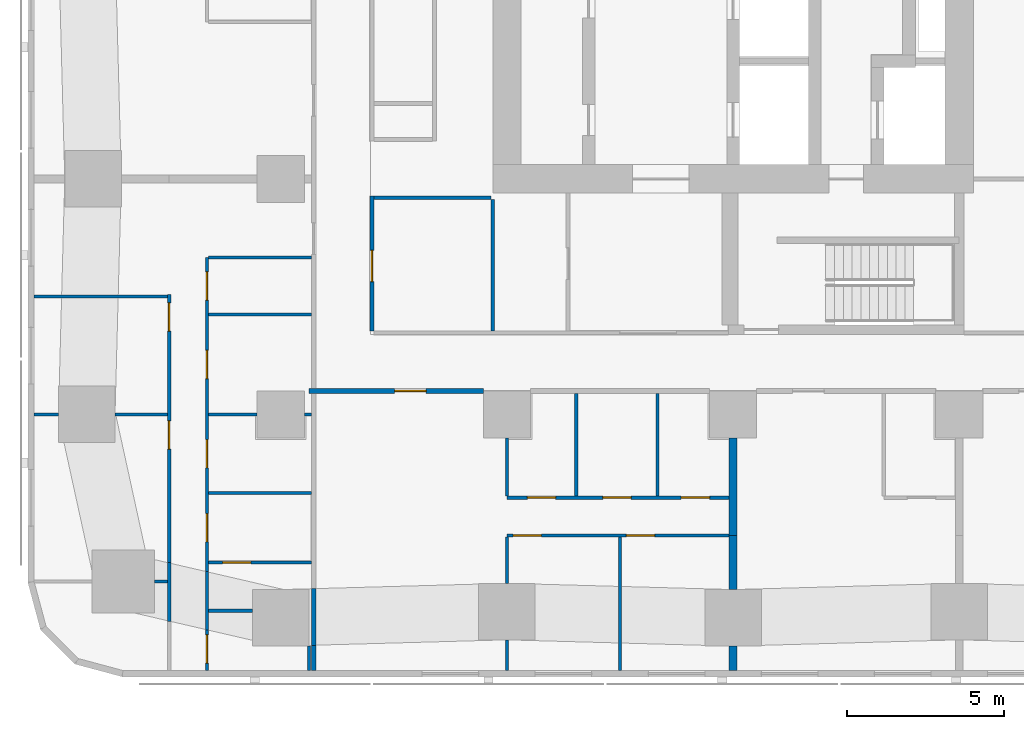
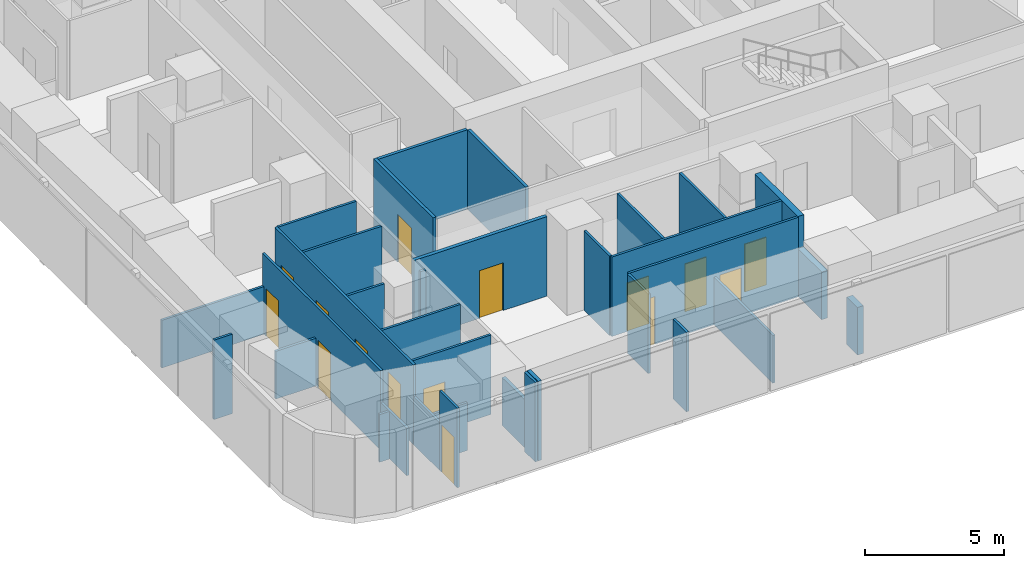
# One storey, part 2 of 15: 34 walls, 15 doors, 15 openings.
"""IFC4 building model written with IfcOpenShell, lengths in metres."""

from ifc_helpers import new_model, si_unit, direction, frame, frame_2d, origin, place, context, subcontext, project, spatial, rectangle, extrude, material, layer, layer_set, type_object, element, fill, save


model = new_model("IFC4")

# Units and contexts
model_context = context("Model", 3, precision=1e-05, world=origin(), true_north=direction((0.0, 1.0)))
body_context = subcontext(model_context, "Body", "Model", "MODEL_VIEW")
ifc_project = project(units=[si_unit("LENGTHUNIT", "METRE"), si_unit("AREAUNIT", "SQUARE_METRE"), si_unit("VOLUMEUNIT", "CUBIC_METRE"), si_unit("PLANEANGLEUNIT", "RADIAN"), si_unit("MASSUNIT", "GRAM", prefix="KILO")], contexts=[model_context])

# Site, building, storey
site_placement = place(None, origin())
site = spatial("IfcSite", under=ifc_project, at=site_placement, CompositionType="ELEMENT")
building_placement = place(site_placement, origin())
building = spatial("IfcBuilding", under=site, at=building_placement, Name="Sheger Commons Tower", CompositionType="ELEMENT")
storey_placement = place(building_placement, frame((0.0, 0.0, 173.300048828125)))
storey = spatial("IfcBuildingStorey", under=building, at=storey_placement, Name="L44", CompositionType="ELEMENT", Elevation=173.300048828125)

# Walls
ifc_material_1 = material(Name="Hollow concrete block masonry, skimmed both sides", Category="masonry")
ifc_layer_1 = layer(ifc_material_1, 0.14990234375)
ifc_layer_set_1 = layer_set([ifc_layer_1], Name="CORRIDOR WALL 150")
wall_type_1 = type_object("IfcWallType", Name="CORRIDOR WALL 150", PredefinedType="SOLIDWALL", material=ifc_layer_set_1)
wall_1_placement = place(storey_placement, frame((8.25, -0.64990234375, 0.0), z_axis=(0.0, 0.0, 1.0), x_axis=(0.0, 1.0, 0.0)))
element("IfcWall", 1, at=wall_1_placement, inside=storey, type_object=wall_type_1, Name="Corridor wall L44", PredefinedType="SOLIDWALL", context=body_context, shape_type="SweptSolid", body=[
    extrude(rectangle(XDim=0.802001953125, YDim=0.14990234375, at=frame_2d((0.40087890625, 0.0))), origin(), (0.0, 0.0, 1.0), 3.5),
])
wall_2_placement = place(storey_placement, frame((8.25, 0.152099609375, 0.0), z_axis=(0.0, 0.0, 1.0), x_axis=(0.0, 1.0, 0.0)))
element("IfcWall", 2, at=wall_2_placement, inside=storey, type_object=wall_type_1, Name="Corridor wall L44", PredefinedType="SOLIDWALL", context=body_context, shape_type="SweptSolid", body=[
    extrude(rectangle(XDim=1.804931640625, YDim=0.14990234375, at=frame_2d((0.90234375, 0.0))), origin(), (0.0, 0.0, 1.0), 2.099853515625),
])

# Wall, opening, door
wall_3_placement = place(storey_placement, frame((13.64892578125, 8.25, 0.0), z_axis=(0.0, 0.0, 1.0), x_axis=(-1.0, 0.0, 0.0)))
wall_3 = element("IfcWall", 3, at=wall_3_placement, inside=storey, type_object=wall_type_1, Name="Corridor wall L44", PredefinedType="SOLIDWALL", context=body_context, shape_type="SweptSolid", body=[
    extrude(rectangle(XDim=5.548828125, YDim=0.14990234375, at=frame_2d((2.7744140625, 0.0))), origin(), (0.0, 0.0, 1.0), 3.5),
])
opening_1_placement = place(wall_3_placement, frame((1.823974609375, 0.0, 0.0)))
opening_1 = element("IfcOpeningElement", 4, at=opening_1_placement, cuts=wall_3, Name="Opening D1", PredefinedType="OPENING", context=body_context, shape_type="SweptSolid", body=[
    extrude(rectangle(XDim=1.0, YDim=2.10009765625, at=frame_2d((0.5, 1.050048828125))), frame((0.0, 0.0849609375, 0.0), z_axis=(0.0, -1.0, 0.0), x_axis=(1.0, 0.0, 0.0)), (0.0, 0.0, 1.0), 0.169921875),
])
ifc_material_2 = material(Name="Steel door set, fire rated", Category="steel")
door_type_1 = type_object("IfcDoorType", Name="FLAT ENTRANCE DOOR 1000x2100", OperationType="NOTDEFINED", PredefinedType="DOOR", material=ifc_material_2)
door_1_placement = place(opening_1_placement, origin())
door_1 = element("IfcDoor", 5, at=door_1_placement, inside=storey, type_object=door_type_1, Name="Flat entrance door", OperationType="SINGLE_SWING_RIGHT", OverallHeight=2.10009765625, OverallWidth=1.0, PredefinedType="DOOR", context=body_context, shape_type="SweptSolid", body=[
    extrude(rectangle(XDim=1.0, YDim=2.10009765625, at=frame_2d((0.5, 1.050048828125))), frame((0.0, 0.02490234375, 0.0), z_axis=(0.0, -1.0, 0.0), x_axis=(1.0, 0.0, 0.0)), (0.0, 0.0, 1.0), 0.050048828125),
])
fill(opening_1, door_1)

# Walls
ifc_material_3 = material(Name="Dense concrete block masonry, plastered both sides (separating wall between flats)", Category="masonry")
ifc_layer_2 = layer(ifc_material_3, 0.25)
ifc_layer_set_2 = layer_set([ifc_layer_2], Name="DEMISING WALL 250")
wall_type_2 = type_object("IfcWallType", Name="DEMISING WALL 250", PredefinedType="SOLIDWALL", material=ifc_layer_set_2)
wall_4_placement = place(storey_placement, frame((21.60009765625, -0.64990234375, 0.0), z_axis=(0.0, 0.0, 1.0), x_axis=(0.0, 1.0, 0.0)))
element("IfcWall", 6, at=wall_4_placement, inside=storey, type_object=wall_type_2, Name="Demising wall L44", PredefinedType="SOLIDWALL", context=body_context, shape_type="SweptSolid", body=[
    extrude(rectangle(XDim=0.77392578125, YDim=0.25, at=frame_2d((0.386962890625, 0.0))), origin(), (0.0, 0.0, 1.0), 2.099853515625),
])
wall_5_placement = place(storey_placement, frame((21.60009765625, 1.926025390625, 0.0), z_axis=(0.0, 0.0, 1.0), x_axis=(0.0, 1.0, 0.0)))
element("IfcWall", 7, at=wall_5_placement, inside=storey, type_object=wall_type_2, Name="Demising wall L44", PredefinedType="SOLIDWALL", context=body_context, shape_type="SweptSolid", body=[
    extrude(rectangle(XDim=1.723876953125, YDim=0.25, at=frame_2d((0.86181640625, 0.0))), origin(), (0.0, 0.0, 1.0), 2.099853515625),
])
wall_6_placement = place(storey_placement, frame((21.60009765625, 3.64990234375, 0.0), z_axis=(0.0, 0.0, 1.0), x_axis=(0.0, 1.0, 0.0)))
element("IfcWall", 8, at=wall_6_placement, inside=storey, type_object=wall_type_2, Name="Demising wall L44", PredefinedType="SOLIDWALL", context=body_context, shape_type="SweptSolid", body=[
    extrude(rectangle(XDim=3.09912109375, YDim=0.25, at=frame_2d((1.549560546875, 0.0))), origin(), (0.0, 0.0, 1.0), 3.5),
])
ifc_material_4 = material(Name="Gypsum board on steel studs", Category="steel")
ifc_layer_3 = layer(ifc_material_4, 0.10009765625)
ifc_layer_set_3 = layer_set([ifc_layer_3], Name="PARTITION 100")
wall_type_3 = type_object("IfcWallType", Name="PARTITION 100", PredefinedType="PARTITIONING", material=ifc_layer_set_3)
wall_7_placement = place(storey_placement, frame((8.10009765625, 0.1240234375, 0.0), z_axis=(0.0, 0.0, 1.0), x_axis=(0.0, -1.0, 0.0)))
element("IfcWall", 9, at=wall_7_placement, inside=storey, type_object=wall_type_3, Name="Partition L44", PredefinedType="PARTITIONING", context=body_context, shape_type="SweptSolid", body=[
    extrude(rectangle(XDim=0.77392578125, YDim=0.10009765625, at=frame_2d((0.386962890625, 0.0))), origin(), (0.0, 0.0, 1.0), 3.5),
])
wall_8_placement = place(storey_placement, frame((3.64990234375, 0.912109375, 0.0), z_axis=(0.0, 0.0, 1.0), x_axis=(0.0, 1.0, 0.0)))
element("IfcWall", 10, at=wall_8_placement, inside=storey, type_object=wall_type_3, Name="Partition L44", PredefinedType="PARTITIONING", context=body_context, shape_type="SweptSolid", body=[
    extrude(rectangle(XDim=1.869873046875, YDim=0.10009765625, at=frame_2d((0.93505859375, 0.0))), origin(), (0.0, 0.0, 1.0), 2.099853515625),
])

# Wall, openings, doors
wall_9_placement = place(storey_placement, frame((3.64990234375, 2.781982421875, 0.0), z_axis=(0.0, 0.0, 1.0), x_axis=(0.0, 1.0, 0.0)))
wall_9 = element("IfcWall", 11, at=wall_9_placement, inside=storey, type_object=wall_type_3, Name="Partition L44", PredefinedType="PARTITIONING", context=body_context, shape_type="SweptSolid", body=[
    extrude(rectangle(XDim=8.541015625, YDim=0.10009765625, at=frame_2d((4.2705078125, 0.0))), origin(), (0.0, 0.0, 1.0), 3.5),
])
opening_2_placement = place(wall_9_placement, frame((7.367919921875, 0.0, 0.0)))
opening_2 = element("IfcOpeningElement", 12, at=opening_2_placement, cuts=wall_9, Name="Opening D2", PredefinedType="OPENING", context=body_context, shape_type="SweptSolid", body=[
    extrude(rectangle(XDim=0.89990234375, YDim=2.10009765625, at=frame_2d((0.449951171875, 1.050048828125))), frame((0.0, 0.06005859375, 0.0), z_axis=(0.0, -1.0, 0.0), x_axis=(1.0, 0.0, 0.0)), (0.0, 0.0, 1.0), 0.1201171875),
])
opening_3_placement = place(wall_9_placement, frame((3.617919921875, 0.0, 0.0)))
opening_3 = element("IfcOpeningElement", 13, at=opening_3_placement, cuts=wall_9, Name="Opening D2", PredefinedType="OPENING", context=body_context, shape_type="SweptSolid", body=[
    extrude(rectangle(XDim=0.89990234375, YDim=2.10009765625, at=frame_2d((0.449951171875, 1.050048828125))), frame((0.0, 0.06005859375, 0.0), z_axis=(0.0, -1.0, 0.0), x_axis=(1.0, 0.0, 0.0)), (0.0, 0.0, 1.0), 0.1201171875),
])
ifc_material_5 = material(Name="Timber door set", Category="wood")
door_type_2 = type_object("IfcDoorType", Name="INTERNAL DOOR 900x2100", OperationType="NOTDEFINED", PredefinedType="DOOR", material=ifc_material_5)
door_2_placement = place(opening_2_placement, origin())
door_2 = element("IfcDoor", 14, at=door_2_placement, inside=storey, type_object=door_type_2, Name="Main bedroom door", OperationType="SINGLE_SWING_RIGHT", OverallHeight=2.10009765625, OverallWidth=0.89990234375, PredefinedType="DOOR", context=body_context, shape_type="SweptSolid", body=[
    extrude(rectangle(XDim=0.89990234375, YDim=2.10009765625, at=frame_2d((0.449951171875, 1.050048828125))), frame((0.0, 0.02490234375, 0.0), z_axis=(0.0, -1.0, 0.0), x_axis=(1.0, 0.0, 0.0)), (0.0, 0.0, 1.0), 0.050048828125),
])
fill(opening_2, door_2)
door_3_placement = place(opening_3_placement, origin())
door_3 = element("IfcDoor", 15, at=door_3_placement, inside=storey, type_object=door_type_2, Name="Bedroom 2 door", OperationType="SINGLE_SWING_RIGHT", OverallHeight=2.10009765625, OverallWidth=0.89990234375, PredefinedType="DOOR", context=body_context, shape_type="SweptSolid", body=[
    extrude(rectangle(XDim=0.89990234375, YDim=2.10009765625, at=frame_2d((0.449951171875, 1.050048828125))), frame((0.0, 0.02490234375, 0.0), z_axis=(0.0, -1.0, 0.0), x_axis=(1.0, 0.0, 0.0)), (0.0, 0.0, 1.0), 0.050048828125),
])
fill(opening_3, door_3)

# Wall, opening, door
wall_10_placement = place(storey_placement, frame((4.85009765625, -0.64990234375, 0.0), z_axis=(0.0, 0.0, 1.0), x_axis=(0.0, 1.0, 0.0)))
wall_10 = element("IfcWall", 16, at=wall_10_placement, inside=storey, type_object=wall_type_3, Name="Partition L44", PredefinedType="PARTITIONING", context=body_context, shape_type="SweptSolid", body=[
    extrude(rectangle(XDim=1.283935546875, YDim=0.10009765625, at=frame_2d((0.64208984375, 0.0))), origin(), (0.0, 0.0, 1.0), 3.5),
])
opening_4_placement = place(wall_10_placement, frame((0.23388671875, 0.0, 0.0)))
opening_4 = element("IfcOpeningElement", 17, at=opening_4_placement, cuts=wall_10, Name="Opening D2", PredefinedType="OPENING", context=body_context, shape_type="SweptSolid", body=[
    extrude(rectangle(XDim=0.89990234375, YDim=2.10009765625, at=frame_2d((0.449951171875, 1.050048828125))), frame((0.0, 0.06005859375, 0.0), z_axis=(0.0, -1.0, 0.0), x_axis=(1.0, 0.0, 0.0)), (0.0, 0.0, 1.0), 0.1201171875),
])
door_4_placement = place(opening_4_placement, origin())
door_4 = element("IfcDoor", 18, at=door_4_placement, inside=storey, type_object=door_type_2, Name="Store and laundry door", OperationType="SINGLE_SWING_LEFT", OverallHeight=2.10009765625, OverallWidth=0.89990234375, PredefinedType="DOOR", context=body_context, shape_type="SweptSolid", body=[
    extrude(rectangle(XDim=0.89990234375, YDim=2.10009765625, at=frame_2d((0.449951171875, 1.050048828125))), frame((0.0, 0.02490234375, 0.0), z_axis=(0.0, -1.0, 0.0), x_axis=(1.0, 0.0, 0.0)), (0.0, 0.0, 1.0), 0.050048828125),
])
fill(opening_4, door_4)

# Wall
wall_11_placement = place(storey_placement, frame((4.85009765625, 0.634033203125, 0.0), z_axis=(0.0, 0.0, 1.0), x_axis=(0.0, 1.0, 0.0)))
element("IfcWall", 19, at=wall_11_placement, inside=storey, type_object=wall_type_3, Name="Partition L44", PredefinedType="PARTITIONING", context=body_context, shape_type="SweptSolid", body=[
    extrude(rectangle(XDim=1.870849609375, YDim=0.10009765625, at=frame_2d((0.935546875, 0.0))), origin(), (0.0, 0.0, 1.0), 2.099853515625),
])

# Wall, openings, doors
wall_12_placement = place(storey_placement, frame((4.85009765625, 2.5048828125, 0.0), z_axis=(0.0, 0.0, 1.0), x_axis=(0.0, 1.0, 0.0)))
wall_12 = element("IfcWall", 20, at=wall_12_placement, inside=storey, type_object=wall_type_3, Name="Partition L44", PredefinedType="PARTITIONING", context=body_context, shape_type="SweptSolid", body=[
    extrude(rectangle(XDim=9.994140625, YDim=0.10009765625, at=frame_2d((4.9970703125, 0.0))), origin(), (0.0, 0.0, 1.0), 3.5),
])
opening_5_placement = place(wall_12_placement, frame((8.634033203125, 0.0, 0.0)))
opening_5 = element("IfcOpeningElement", 21, at=opening_5_placement, cuts=wall_12, Name="Opening D2", PredefinedType="OPENING", context=body_context, shape_type="SweptSolid", body=[
    extrude(rectangle(XDim=0.89990234375, YDim=2.10009765625, at=frame_2d((0.449951171875, 1.050048828125))), frame((0.0, 0.06005859375, 0.0), z_axis=(0.0, -1.0, 0.0), x_axis=(1.0, 0.0, 0.0)), (0.0, 0.0, 1.0), 0.1201171875),
])
opening_6_placement = place(wall_12_placement, frame((3.2939453125, 0.0, 0.0)))
opening_6 = element("IfcOpeningElement", 22, at=opening_6_placement, cuts=wall_12, Name="Opening D2", PredefinedType="OPENING", context=body_context, shape_type="SweptSolid", body=[
    extrude(rectangle(XDim=0.89990234375, YDim=2.10009765625, at=frame_2d((0.449951171875, 1.050048828125))), frame((0.0, 0.06005859375, 0.0), z_axis=(0.0, -1.0, 0.0), x_axis=(1.0, 0.0, 0.0)), (0.0, 0.0, 1.0), 0.1201171875),
])
opening_7_placement = place(wall_12_placement, frame((0.93896484375, 0.0, 0.0)))
opening_7 = element("IfcOpeningElement", 23, at=opening_7_placement, cuts=wall_12, Name="Opening D2", PredefinedType="OPENING", context=body_context, shape_type="SweptSolid", body=[
    extrude(rectangle(XDim=0.89990234375, YDim=2.10009765625, at=frame_2d((0.449951171875, 1.050048828125))), frame((0.0, 0.06005859375, 0.0), z_axis=(0.0, -1.0, 0.0), x_axis=(1.0, 0.0, 0.0)), (0.0, 0.0, 1.0), 0.1201171875),
])
opening_8_placement = place(wall_12_placement, frame((6.135009765625, 0.0, 0.0)))
opening_8 = element("IfcOpeningElement", 24, at=opening_8_placement, cuts=wall_12, Name="Opening D2", PredefinedType="OPENING", context=body_context, shape_type="SweptSolid", body=[
    extrude(rectangle(XDim=0.89990234375, YDim=2.10009765625, at=frame_2d((0.449951171875, 1.050048828125))), frame((0.0, 0.06005859375, 0.0), z_axis=(0.0, -1.0, 0.0), x_axis=(1.0, 0.0, 0.0)), (0.0, 0.0, 1.0), 0.1201171875),
])
door_5_placement = place(opening_5_placement, origin())
door_5 = element("IfcDoor", 25, at=door_5_placement, inside=storey, type_object=door_type_2, Name="Laundry room door", OperationType="SINGLE_SWING_LEFT", OverallHeight=2.10009765625, OverallWidth=0.89990234375, PredefinedType="DOOR", context=body_context, shape_type="SweptSolid", body=[
    extrude(rectangle(XDim=0.89990234375, YDim=2.10009765625, at=frame_2d((0.449951171875, 1.050048828125))), frame((0.0, 0.02490234375, 0.0), z_axis=(0.0, -1.0, 0.0), x_axis=(1.0, 0.0, 0.0)), (0.0, 0.0, 1.0), 0.050048828125),
])
fill(opening_5, door_5)
door_6_placement = place(opening_6_placement, origin())
door_6 = element("IfcDoor", 26, at=door_6_placement, inside=storey, type_object=door_type_2, Name="Laundry room door", OperationType="SINGLE_SWING_RIGHT", OverallHeight=2.10009765625, OverallWidth=0.89990234375, PredefinedType="DOOR", context=body_context, shape_type="SweptSolid", body=[
    extrude(rectangle(XDim=0.89990234375, YDim=2.10009765625, at=frame_2d((0.449951171875, 1.050048828125))), frame((0.0, 0.02490234375, 0.0), z_axis=(0.0, -1.0, 0.0), x_axis=(1.0, 0.0, 0.0)), (0.0, 0.0, 1.0), 0.050048828125),
])
fill(opening_6, door_6)
door_7_placement = place(opening_7_placement, origin())
door_7 = element("IfcDoor", 27, at=door_7_placement, inside=storey, type_object=door_type_2, Name="Bathroom door", OperationType="SINGLE_SWING_RIGHT", OverallHeight=2.10009765625, OverallWidth=0.89990234375, PredefinedType="DOOR", context=body_context, shape_type="SweptSolid", body=[
    extrude(rectangle(XDim=0.89990234375, YDim=2.10009765625, at=frame_2d((0.449951171875, 1.050048828125))), frame((0.0, 0.02490234375, 0.0), z_axis=(0.0, -1.0, 0.0), x_axis=(1.0, 0.0, 0.0)), (0.0, 0.0, 1.0), 0.050048828125),
])
fill(opening_7, door_7)
door_8_placement = place(opening_8_placement, origin())
door_8 = element("IfcDoor", 28, at=door_8_placement, inside=storey, type_object=door_type_2, Name="Store door", OperationType="SINGLE_SWING_LEFT", OverallHeight=2.10009765625, OverallWidth=0.89990234375, PredefinedType="DOOR", context=body_context, shape_type="SweptSolid", body=[
    extrude(rectangle(XDim=0.89990234375, YDim=2.10009765625, at=frame_2d((0.449951171875, 1.050048828125))), frame((0.0, 0.02490234375, 0.0), z_axis=(0.0, -1.0, 0.0), x_axis=(1.0, 0.0, 0.0)), (0.0, 0.0, 1.0), 0.050048828125),
])
fill(opening_8, door_8)

# Walls
wall_13_placement = place(storey_placement, frame((3.18701171875, 2.18603515625, 0.0), z_axis=(0.0, 0.0, 1.0), x_axis=(1.0, 0.0, 0.0)))
element("IfcWall", 29, at=wall_13_placement, inside=storey, type_object=wall_type_3, Name="Partition L44", PredefinedType="PARTITIONING", context=body_context, shape_type="SweptSolid", body=[
    extrude(rectangle(XDim=0.4130859375, YDim=0.10009765625, at=frame_2d((0.20654296875, 0.0))), origin(), (0.0, 0.0, 1.0), 2.099853515625),
])
wall_14_placement = place(storey_placement, frame((-0.64990234375, 7.5, 0.0), z_axis=(0.0, 0.0, 1.0), x_axis=(1.0, 0.0, 0.0)))
element("IfcWall", 30, at=wall_14_placement, inside=storey, type_object=wall_type_3, Name="Partition L44", PredefinedType="PARTITIONING", context=body_context, shape_type="SweptSolid", body=[
    extrude(rectangle(XDim=0.77392578125, YDim=0.10009765625, at=frame_2d((0.386962890625, 0.0))), origin(), (0.0, 0.0, 1.0), 3.5),
])
wall_15_placement = place(storey_placement, frame((1.926025390625, 7.5, 0.0), z_axis=(0.0, 0.0, 1.0), x_axis=(1.0, 0.0, 0.0)))
element("IfcWall", 31, at=wall_15_placement, inside=storey, type_object=wall_type_3, Name="Partition L44", PredefinedType="PARTITIONING", context=body_context, shape_type="SweptSolid", body=[
    extrude(rectangle(XDim=1.674072265625, YDim=0.10009765625, at=frame_2d((0.8369140625, 0.0))), origin(), (0.0, 0.0, 1.0), 2.099853515625),
])
wall_16_placement = place(storey_placement, frame((-0.64990234375, 11.25, 0.0), z_axis=(0.0, 0.0, 1.0), x_axis=(1.0, 0.0, 0.0)))
element("IfcWall", 32, at=wall_16_placement, inside=storey, type_object=wall_type_3, Name="Partition L44", PredefinedType="PARTITIONING", context=body_context, shape_type="SweptSolid", body=[
    extrude(rectangle(XDim=4.25, YDim=0.10009765625, at=frame_2d((2.125, 0.0))), origin(), (0.0, 0.0, 1.0), 2.099853515625),
])
wall_17_placement = place(storey_placement, frame((4.89990234375, 4.9990234375, 0.0), z_axis=(0.0, 0.0, 1.0), x_axis=(1.0, 0.0, 0.0)))
element("IfcWall", 33, at=wall_17_placement, inside=storey, type_object=wall_type_3, Name="Partition L44", PredefinedType="PARTITIONING", context=body_context, shape_type="SweptSolid", body=[
    extrude(rectangle(XDim=3.275146484375, YDim=0.10009765625, at=frame_2d((1.6376953125, 0.0))), origin(), (0.0, 0.0, 1.0), 3.5),
])
wall_18_placement = place(storey_placement, frame((4.89990234375, 7.5, 0.0), z_axis=(0.0, 0.0, 1.0), x_axis=(1.0, 0.0, 0.0)))
element("IfcWall", 34, at=wall_18_placement, inside=storey, type_object=wall_type_3, Name="Partition L44", PredefinedType="PARTITIONING", context=body_context, shape_type="SweptSolid", body=[
    extrude(rectangle(XDim=1.549072265625, YDim=0.10009765625, at=frame_2d((0.7744140625, 0.0))), origin(), (0.0, 0.0, 1.0), 3.5),
])
wall_19_placement = place(storey_placement, frame((7.950927734375, 7.5, 0.0), z_axis=(0.0, 0.0, 1.0), x_axis=(1.0, 0.0, 0.0)))
element("IfcWall", 35, at=wall_19_placement, inside=storey, type_object=wall_type_3, Name="Partition L44", PredefinedType="PARTITIONING", context=body_context, shape_type="SweptSolid", body=[
    extrude(rectangle(XDim=0.22412109375, YDim=0.10009765625, at=frame_2d((0.112060546875, 0.0))), origin(), (0.0, 0.0, 1.0), 3.5),
])
wall_20_placement = place(storey_placement, frame((4.89990234375, 12.4990234375, 0.0), z_axis=(0.0, 0.0, 1.0), x_axis=(1.0, 0.0, 0.0)))
element("IfcWall", 36, at=wall_20_placement, inside=storey, type_object=wall_type_3, Name="Partition L44", PredefinedType="PARTITIONING", context=body_context, shape_type="SweptSolid", body=[
    extrude(rectangle(XDim=3.275146484375, YDim=0.10009765625, at=frame_2d((1.6376953125, 0.0))), origin(), (0.0, 0.0, 1.0), 3.5),
])
wall_21_placement = place(storey_placement, frame((4.89990234375, 1.2490234375, 0.0), z_axis=(0.0, 0.0, 1.0), x_axis=(1.0, 0.0, 0.0)))
element("IfcWall", 37, at=wall_21_placement, inside=storey, type_object=wall_type_3, Name="Partition L44", PredefinedType="PARTITIONING", context=body_context, shape_type="SweptSolid", body=[
    extrude(rectangle(XDim=1.399169921875, YDim=0.10009765625, at=frame_2d((0.69970703125, 0.0))), origin(), (0.0, 0.0, 1.0), 2.099853515625),
])
wall_22_placement = place(storey_placement, frame((4.89990234375, 10.678955078125, 0.0), z_axis=(0.0, 0.0, 1.0), x_axis=(1.0, 0.0, 0.0)))
element("IfcWall", 38, at=wall_22_placement, inside=storey, type_object=wall_type_3, Name="Partition L44", PredefinedType="PARTITIONING", context=body_context, shape_type="SweptSolid", body=[
    extrude(rectangle(XDim=3.275146484375, YDim=0.10009765625, at=frame_2d((1.6376953125, 0.0))), origin(), (0.0, 0.0, 1.0), 3.5),
])

# Wall, opening, door
wall_23_placement = place(storey_placement, frame((4.89990234375, 2.7890625, 0.0), z_axis=(0.0, 0.0, 1.0), x_axis=(1.0, 0.0, 0.0)))
wall_23 = element("IfcWall", 39, at=wall_23_placement, inside=storey, type_object=wall_type_3, Name="Partition L44", PredefinedType="PARTITIONING", context=body_context, shape_type="SweptSolid", body=[
    extrude(rectangle(XDim=3.275146484375, YDim=0.10009765625, at=frame_2d((1.6376953125, 0.0))), origin(), (0.0, 0.0, 1.0), 3.5),
])
opening_9_placement = place(wall_23_placement, frame((0.449951171875, 0.0, 0.0)))
opening_9 = element("IfcOpeningElement", 40, at=opening_9_placement, cuts=wall_23, Name="Opening D2", PredefinedType="OPENING", context=body_context, shape_type="SweptSolid", body=[
    extrude(rectangle(XDim=0.89990234375, YDim=2.10009765625, at=frame_2d((0.449951171875, 1.050048828125))), frame((0.0, 0.06005859375, 0.0), z_axis=(0.0, -1.0, 0.0), x_axis=(1.0, 0.0, 0.0)), (0.0, 0.0, 1.0), 0.1201171875),
])
door_9_placement = place(opening_9_placement, origin())
door_9 = element("IfcDoor", 41, at=door_9_placement, inside=storey, type_object=door_type_2, Name="Linen store door", OperationType="SINGLE_SWING_RIGHT", OverallHeight=2.10009765625, OverallWidth=0.89990234375, PredefinedType="DOOR", context=body_context, shape_type="SweptSolid", body=[
    extrude(rectangle(XDim=0.89990234375, YDim=2.10009765625, at=frame_2d((0.449951171875, 1.050048828125))), frame((0.0, 0.02490234375, 0.0), z_axis=(0.0, -1.0, 0.0), x_axis=(1.0, 0.0, 0.0)), (0.0, 0.0, 1.0), 0.050048828125),
])
fill(opening_9, door_9)

# Wall, openings, doors
wall_24_placement = place(storey_placement, frame((21.47509765625, 3.64990234375, 0.0), z_axis=(0.0, 0.0, 1.0), x_axis=(-1.0, 0.0, 0.0)))
wall_24 = element("IfcWall", 42, at=wall_24_placement, inside=storey, type_object=wall_type_3, Name="Partition L44", PredefinedType="PARTITIONING", context=body_context, shape_type="SweptSolid", body=[
    extrude(rectangle(XDim=7.0751953125, YDim=0.10009765625, at=frame_2d((3.53759765625, 0.0))), origin(), (0.0, 0.0, 1.0), 3.5),
])
opening_10_placement = place(wall_24_placement, frame((5.97509765625, 0.0, 0.0)))
opening_10 = element("IfcOpeningElement", 43, at=opening_10_placement, cuts=wall_24, Name="Opening D2", PredefinedType="OPENING", context=body_context, shape_type="SweptSolid", body=[
    extrude(rectangle(XDim=0.89990234375, YDim=2.10009765625, at=frame_2d((0.449951171875, 1.050048828125))), frame((0.0, 0.06005859375, 0.0), z_axis=(0.0, -1.0, 0.0), x_axis=(1.0, 0.0, 0.0)), (0.0, 0.0, 1.0), 0.1201171875),
])
opening_11_placement = place(wall_24_placement, frame((2.375, 0.0, 0.0)))
opening_11 = element("IfcOpeningElement", 44, at=opening_11_placement, cuts=wall_24, Name="Opening D2", PredefinedType="OPENING", context=body_context, shape_type="SweptSolid", body=[
    extrude(rectangle(XDim=0.89990234375, YDim=2.10009765625, at=frame_2d((0.449951171875, 1.050048828125))), frame((0.0, 0.06005859375, 0.0), z_axis=(0.0, -1.0, 0.0), x_axis=(1.0, 0.0, 0.0)), (0.0, 0.0, 1.0), 0.1201171875),
])
door_10_placement = place(opening_10_placement, origin())
door_10 = element("IfcDoor", 45, at=door_10_placement, inside=storey, type_object=door_type_2, Name="Main bedroom door", OperationType="SINGLE_SWING_RIGHT", OverallHeight=2.10009765625, OverallWidth=0.89990234375, PredefinedType="DOOR", context=body_context, shape_type="SweptSolid", body=[
    extrude(rectangle(XDim=0.89990234375, YDim=2.10009765625, at=frame_2d((0.449951171875, 1.050048828125))), frame((0.0, 0.02490234375, 0.0), z_axis=(0.0, -1.0, 0.0), x_axis=(1.0, 0.0, 0.0)), (0.0, 0.0, 1.0), 0.050048828125),
])
fill(opening_10, door_10)
door_11_placement = place(opening_11_placement, origin())
door_11 = element("IfcDoor", 46, at=door_11_placement, inside=storey, type_object=door_type_2, Name="Bedroom 2 door", OperationType="SINGLE_SWING_RIGHT", OverallHeight=2.10009765625, OverallWidth=0.89990234375, PredefinedType="DOOR", context=body_context, shape_type="SweptSolid", body=[
    extrude(rectangle(XDim=0.89990234375, YDim=2.10009765625, at=frame_2d((0.449951171875, 1.050048828125))), frame((0.0, 0.02490234375, 0.0), z_axis=(0.0, -1.0, 0.0), x_axis=(1.0, 0.0, 0.0)), (0.0, 0.0, 1.0), 0.050048828125),
])
fill(opening_11, door_11)

wall_25_placement = place(storey_placement, frame((21.47509765625, 4.85009765625, 0.0), z_axis=(0.0, 0.0, 1.0), x_axis=(-1.0, 0.0, 0.0)))
wall_25 = element("IfcWall", 47, at=wall_25_placement, inside=storey, type_object=wall_type_3, Name="Partition L44", PredefinedType="PARTITIONING", context=body_context, shape_type="SweptSolid", body=[
    extrude(rectangle(XDim=7.0751953125, YDim=0.10009765625, at=frame_2d((3.53759765625, 0.0))), origin(), (0.0, 0.0, 1.0), 3.5),
])
opening_12_placement = place(wall_25_placement, frame((5.52001953125, 0.0, 0.0)))
opening_12 = element("IfcOpeningElement", 48, at=opening_12_placement, cuts=wall_25, Name="Opening D2", PredefinedType="OPENING", context=body_context, shape_type="SweptSolid", body=[
    extrude(rectangle(XDim=0.89990234375, YDim=2.10009765625, at=frame_2d((0.449951171875, 1.050048828125))), frame((0.0, 0.06005859375, 0.0), z_axis=(0.0, -1.0, 0.0), x_axis=(1.0, 0.0, 0.0)), (0.0, 0.0, 1.0), 0.1201171875),
])
opening_13_placement = place(wall_25_placement, frame((0.625, 0.0, 0.0)))
opening_13 = element("IfcOpeningElement", 49, at=opening_13_placement, cuts=wall_25, Name="Opening D2", PredefinedType="OPENING", context=body_context, shape_type="SweptSolid", body=[
    extrude(rectangle(XDim=0.89990234375, YDim=2.10009765625, at=frame_2d((0.449951171875, 1.050048828125))), frame((0.0, 0.06005859375, 0.0), z_axis=(0.0, -1.0, 0.0), x_axis=(1.0, 0.0, 0.0)), (0.0, 0.0, 1.0), 0.1201171875),
])
opening_14_placement = place(wall_25_placement, frame((3.12109375, 0.0, 0.0)))
opening_14 = element("IfcOpeningElement", 50, at=opening_14_placement, cuts=wall_25, Name="Opening D2", PredefinedType="OPENING", context=body_context, shape_type="SweptSolid", body=[
    extrude(rectangle(XDim=0.89990234375, YDim=2.10009765625, at=frame_2d((0.449951171875, 1.050048828125))), frame((0.0, 0.06005859375, 0.0), z_axis=(0.0, -1.0, 0.0), x_axis=(1.0, 0.0, 0.0)), (0.0, 0.0, 1.0), 0.1201171875),
])
door_12_placement = place(opening_12_placement, origin())
door_12 = element("IfcDoor", 51, at=door_12_placement, inside=storey, type_object=door_type_2, Name="Bathroom door", OperationType="SINGLE_SWING_LEFT", OverallHeight=2.10009765625, OverallWidth=0.89990234375, PredefinedType="DOOR", context=body_context, shape_type="SweptSolid", body=[
    extrude(rectangle(XDim=0.89990234375, YDim=2.10009765625, at=frame_2d((0.449951171875, 1.050048828125))), frame((0.0, 0.02490234375, 0.0), z_axis=(0.0, -1.0, 0.0), x_axis=(1.0, 0.0, 0.0)), (0.0, 0.0, 1.0), 0.050048828125),
])
fill(opening_12, door_12)
door_13_placement = place(opening_13_placement, origin())
door_13 = element("IfcDoor", 52, at=door_13_placement, inside=storey, type_object=door_type_2, Name="Laundry room door", OperationType="SINGLE_SWING_RIGHT", OverallHeight=2.10009765625, OverallWidth=0.89990234375, PredefinedType="DOOR", context=body_context, shape_type="SweptSolid", body=[
    extrude(rectangle(XDim=0.89990234375, YDim=2.10009765625, at=frame_2d((0.449951171875, 1.050048828125))), frame((0.0, 0.02490234375, 0.0), z_axis=(0.0, -1.0, 0.0), x_axis=(1.0, 0.0, 0.0)), (0.0, 0.0, 1.0), 0.050048828125),
])
fill(opening_13, door_13)
door_14_placement = place(opening_14_placement, origin())
door_14 = element("IfcDoor", 53, at=door_14_placement, inside=storey, type_object=door_type_2, Name="Store door", OperationType="SINGLE_SWING_LEFT", OverallHeight=2.10009765625, OverallWidth=0.89990234375, PredefinedType="DOOR", context=body_context, shape_type="SweptSolid", body=[
    extrude(rectangle(XDim=0.89990234375, YDim=2.10009765625, at=frame_2d((0.449951171875, 1.050048828125))), frame((0.0, 0.02490234375, 0.0), z_axis=(0.0, -1.0, 0.0), x_axis=(1.0, 0.0, 0.0)), (0.0, 0.0, 1.0), 0.050048828125),
])
fill(opening_14, door_14)

# Walls
wall_26_placement = place(storey_placement, frame((14.39990234375, -0.64990234375, 0.0), z_axis=(0.0, 0.0, 1.0), x_axis=(0.0, 1.0, 0.0)))
element("IfcWall", 54, at=wall_26_placement, inside=storey, type_object=wall_type_3, Name="Partition L44", PredefinedType="PARTITIONING", context=body_context, shape_type="SweptSolid", body=[
    extrude(rectangle(XDim=0.973876953125, YDim=0.10009765625, at=frame_2d((0.48681640625, 0.0))), origin(), (0.0, 0.0, 1.0), 3.5),
])
wall_27_placement = place(storey_placement, frame((14.39990234375, 2.1259765625, 0.0), z_axis=(0.0, 0.0, 1.0), x_axis=(0.0, 1.0, 0.0)))
element("IfcWall", 55, at=wall_27_placement, inside=storey, type_object=wall_type_3, Name="Partition L44", PredefinedType="PARTITIONING", context=body_context, shape_type="SweptSolid", body=[
    extrude(rectangle(XDim=1.47412109375, YDim=0.10009765625, at=frame_2d((0.737060546875, 0.0))), origin(), (0.0, 0.0, 1.0), 3.5),
])
wall_28_placement = place(storey_placement, frame((18.0, -0.64990234375, 0.0), z_axis=(0.0, 0.0, 1.0), x_axis=(0.0, 1.0, 0.0)))
element("IfcWall", 56, at=wall_28_placement, inside=storey, type_object=wall_type_3, Name="Partition L44", PredefinedType="PARTITIONING", context=body_context, shape_type="SweptSolid", body=[
    extrude(rectangle(XDim=4.25, YDim=0.10009765625, at=frame_2d((2.125, 0.0))), origin(), (0.0, 0.0, 1.0), 2.099853515625),
])
wall_29_placement = place(storey_placement, frame((14.39990234375, 4.89990234375, 0.0), z_axis=(0.0, 0.0, 1.0), x_axis=(0.0, 1.0, 0.0)))
element("IfcWall", 57, at=wall_29_placement, inside=storey, type_object=wall_type_3, Name="Partition L44", PredefinedType="PARTITIONING", context=body_context, shape_type="SweptSolid", body=[
    extrude(rectangle(XDim=1.84912109375, YDim=0.10009765625, at=frame_2d((0.924560546875, 0.0))), origin(), (0.0, 0.0, 1.0), 3.5),
])
for number, where, z_axis, x_axis, name in (
    (58, (19.198974609375, 4.89990234375, 0.0), (0.0, 0.0, 1.0), (0.0, 1.0, 0.0), "Partition L44"),
    (59, (16.610107421875, 4.89990234375, 0.0), (0.0, 0.0, 1.0), (0.0, 1.0, 0.0), "Partition L44"),
):
    element("IfcWall", number, at=place(storey_placement, frame(where, z_axis=z_axis, x_axis=x_axis)), inside=storey, type_object=wall_type_3, Name=name, PredefinedType="PARTITIONING", context=body_context, shape_type="SweptSolid", body=[
        extrude(rectangle(XDim=3.275146484375, YDim=0.10009765625, at=frame_2d((1.6376953125, 0.0))), origin(), (0.0, 0.0, 1.0), 3.5),
    ])

# Wall, opening, door
ifc_material_6 = material(Name="Gypsum board on steel studs, two layers each side, fire rated", Category="steel")
ifc_layer_4 = layer(ifc_material_6, 0.125)
ifc_layer_set_4 = layer_set([ifc_layer_4], Name="SERVICE WALL 125")
wall_type_4 = type_object("IfcWallType", Name="SERVICE WALL 125", PredefinedType="PARTITIONING", material=ifc_layer_set_4)
wall_30_placement = place(storey_placement, frame((10.10009765625, 10.162109375, 0.0), z_axis=(0.0, 0.0, 1.0), x_axis=(0.0, 1.0, 0.0)))
wall_30 = element("IfcWall", 60, at=wall_30_placement, inside=storey, type_object=wall_type_4, Name="Service room wall L44", PredefinedType="PARTITIONING", context=body_context, shape_type="SweptSolid", body=[
    extrude(rectangle(XDim=4.287841796875, YDim=0.125, at=frame_2d((2.14404296875, 0.0))), origin(), (0.0, 0.0, 1.0), 3.5),
])
opening_15_placement = place(wall_30_placement, frame((1.56298828125, 0.0, 0.0)))
opening_15 = element("IfcOpeningElement", 61, at=opening_15_placement, cuts=wall_30, Name="Opening D4", PredefinedType="OPENING", context=body_context, shape_type="SweptSolid", body=[
    extrude(rectangle(XDim=1.0, YDim=2.10009765625, at=frame_2d((0.5, 1.050048828125))), frame((0.0, 0.072509765625, 0.0), z_axis=(0.0, -1.0, 0.0), x_axis=(1.0, 0.0, 0.0)), (0.0, 0.0, 1.0), 0.14501953125),
])
ifc_material_7 = material(Name="Steel door set, fire rated", Category="steel")
door_type_3 = type_object("IfcDoorType", Name="SERVICE DOOR 1000x2100", OperationType="NOTDEFINED", PredefinedType="DOOR", material=ifc_material_7)
door_15_placement = place(opening_15_placement, origin())
door_15 = element("IfcDoor", 62, at=door_15_placement, inside=storey, type_object=door_type_3, Name="Refuse chute room door", OperationType="SINGLE_SWING_RIGHT", OverallHeight=2.10009765625, OverallWidth=1.0, PredefinedType="DOOR", context=body_context, shape_type="SweptSolid", body=[
    extrude(rectangle(XDim=1.0, YDim=2.10009765625, at=frame_2d((0.5, 1.050048828125))), frame((0.0, 0.02490234375, 0.0), z_axis=(0.0, -1.0, 0.0), x_axis=(1.0, 0.0, 0.0)), (0.0, 0.0, 1.0), 0.050048828125),
])
fill(opening_15, door_15)

# Walls
wall_31_placement = place(storey_placement, frame((10.162109375, 14.39990234375, 0.0), z_axis=(0.0, 0.0, 1.0), x_axis=(1.0, 0.0, 0.0)))
element("IfcWall", 63, at=wall_31_placement, inside=storey, type_object=wall_type_4, Name="Service room wall L44", PredefinedType="PARTITIONING", context=body_context, shape_type="SweptSolid", body=[
    extrude(rectangle(XDim=3.725830078125, YDim=0.125, at=frame_2d((1.86279296875, 0.0))), origin(), (0.0, 0.0, 1.0), 3.5),
])
wall_32_placement = place(storey_placement, frame((13.949951171875, 10.1630859375, 0.0), z_axis=(0.0, 0.0, 1.0), x_axis=(0.0, 1.0, 0.0)))
element("IfcWall", 64, at=wall_32_placement, inside=storey, type_object=wall_type_4, Name="Service room wall L44", PredefinedType="PARTITIONING", context=body_context, shape_type="SweptSolid", body=[
    extrude(rectangle(XDim=4.1748046875, YDim=0.125, at=frame_2d((2.08740234375, 0.0))), origin(), (0.0, 0.0, 1.0), 3.5),
])

save(model, "model.ifc")
